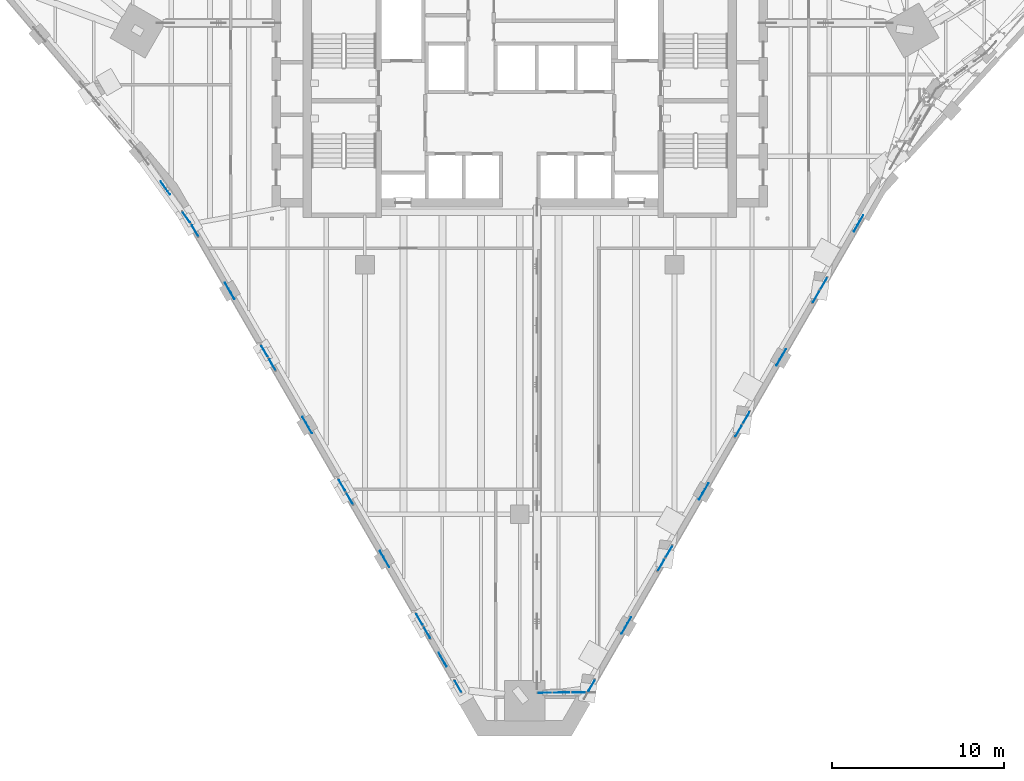
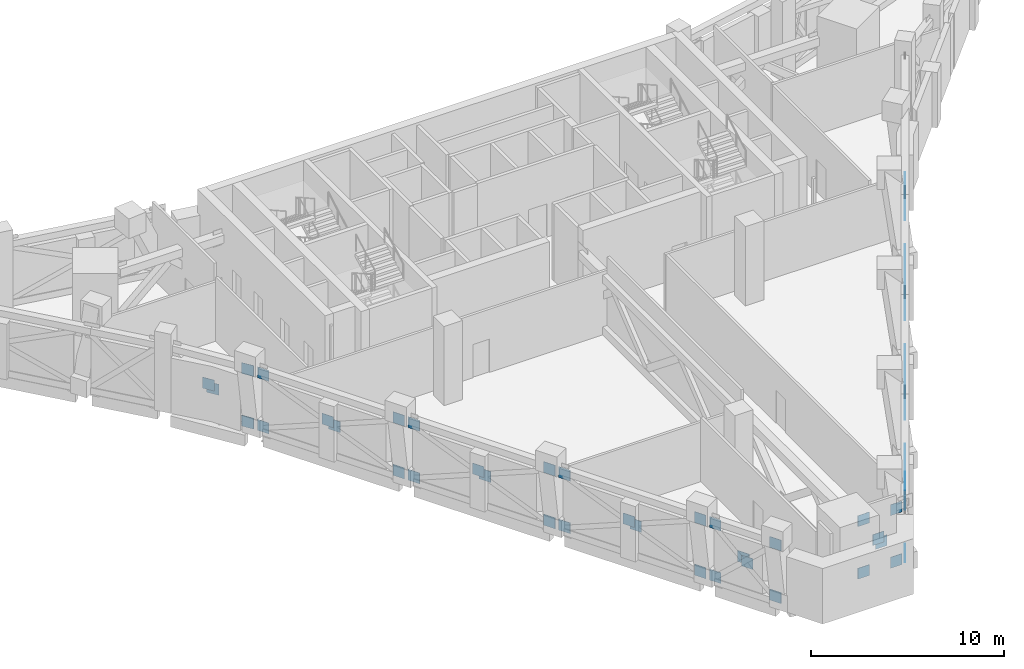
# One storey, part 17 of 23: 56 discrete accessories.
"""IFC4 building model written with IfcOpenShell, lengths in metres."""

from ifc_helpers import new_model, si_unit, direction, frame, origin, origin_2d, place, context, subcontext, project, spatial, rectangle, extrude, material, type_object, element, save


model = new_model("IFC4")

# Units and contexts
model_context = context("Model", 3, precision=1e-05, world=origin(), true_north=direction((0.0, 1.0)))
body_context = subcontext(model_context, "Body", "Model", "MODEL_VIEW")
ifc_project = project(units=[si_unit("LENGTHUNIT", "METRE"), si_unit("AREAUNIT", "SQUARE_METRE"), si_unit("VOLUMEUNIT", "CUBIC_METRE"), si_unit("PLANEANGLEUNIT", "RADIAN"), si_unit("MASSUNIT", "GRAM", prefix="KILO")], contexts=[model_context])

# Site, building, storey
site_placement = place(None, origin())
site = spatial("IfcSite", under=ifc_project, at=site_placement, CompositionType="ELEMENT")
building_placement = place(site_placement, origin())
building = spatial("IfcBuilding", under=site, at=building_placement, Name="Calabash Gate Tower", CompositionType="ELEMENT")
storey_placement = place(building_placement, frame((0.0, 0.0, 243.199951171875)))
storey = spatial("IfcBuildingStorey", under=building, at=storey_placement, Name="L58", CompositionType="ELEMENT", Elevation=243.199951171875)

# Discrete accessories
ifc_material = material(Name="Steel ASTM A572 Gr50", Category="steel")
discrete_accessory_type = type_object("IfcDiscreteAccessoryType", Name="Connection plate 25", PredefinedType="BRACKET", material=ifc_material)
for number, where, z_axis, x_axis, name in (
    (1, (-18.882080078125, 4.48779296875, 0.0625), (0.0, 0.0, 1.0), (0.499999984885, -0.866025412511, 0.0), "Connection plate Belt diagonal L58 3 start"),
    (2, (-14.83203125, -2.52685546875, 3.3798828125), (0.0, 0.0, 1.0), (0.499999984885, -0.866025412511, 0.0), "Connection plate Belt diagonal L58 3 end"),
    (3, (-18.882080078125, 4.48779296875, 3.3798828125), (0.0, 0.0, 1.0), (0.499999954655, -0.866025429964, 0.0), "Connection plate Belt diagonal (split) L58 4 half 1 of 2 start"),
    (4, (-16.95751953125, 1.154541015625, 1.8037109375), (0.0, 0.0, 1.0), (0.499999954655, -0.866025429964, 0.0), "Connection plate Belt diagonal (split) L58 4 half 1 of 2 end"),
    (5, (-16.75634765625, 0.806396484375, 1.638671875), (0.0, 0.0, 1.0), (0.499999954655, -0.866025429964, 0.0), "Connection plate Belt diagonal (split) L58 5 half 2 of 2 start"),
    (6, (-14.83203125, -2.52685546875, 0.0625), (0.0, 0.0, 1.0), (0.499999954655, -0.866025429964, 0.0), "Connection plate Belt diagonal (split) L58 5 half 2 of 2 end"),
    (7, (-14.382080078125, -3.306396484375, 0.0625), (0.0, 0.0, 1.0), (0.49999993954, -0.866025438691, 0.0), "Connection plate Belt diagonal L58 8 start"),
    (8, (-10.33203125, -10.3212890625, 3.3798828125), (0.0, 0.0, 1.0), (0.49999993954, -0.866025438691, 0.0), "Connection plate Belt diagonal L58 8 end"),
    (9, (-14.382080078125, -3.306396484375, 3.3798828125), (0.0, 0.0, 1.0), (0.49999984885, -0.866025491051, 0.0), "Connection plate Belt diagonal (split) L58 9 half 1 of 2 start"),
    (10, (-12.45751953125, -6.6396484375, 1.8037109375), (0.0, 0.0, 1.0), (0.49999984885, -0.866025491051, 0.0), "Connection plate Belt diagonal (split) L58 9 half 1 of 2 end"),
    (11, (-12.25634765625, -6.988037109375, 1.638671875), (0.0, 0.0, 1.0), (0.49999984885, -0.866025491051, 0.0), "Connection plate Belt diagonal (split) L58 10 half 2 of 2 start"),
    (12, (-10.33203125, -10.3212890625, 0.0625), (0.0, 0.0, 1.0), (0.49999984885, -0.866025491051, 0.0), "Connection plate Belt diagonal (split) L58 10 half 2 of 2 end"),
    (13, (-9.882080078125, -11.1005859375, 0.0625), (0.0, 0.0, 1.0), (0.499999984885, -0.866025412511, 0.0), "Connection plate Belt diagonal L58 13 start"),
    (14, (-5.83203125, -18.115478515625, 3.3798828125), (0.0, 0.0, 1.0), (0.499999984885, -0.866025412511, 0.0), "Connection plate Belt diagonal L58 13 end"),
    (15, (-9.882080078125, -11.1005859375, 3.3798828125), (0.0, 0.0, 1.0), (0.499999954655, -0.866025429964, 0.0), "Connection plate Belt diagonal (split) L58 14 half 1 of 2 start"),
    (16, (-7.95751953125, -14.433837890625, 1.8037109375), (0.0, 0.0, 1.0), (0.499999954655, -0.866025429964, 0.0), "Connection plate Belt diagonal (split) L58 14 half 1 of 2 end"),
    (17, (-7.75634765625, -14.7822265625, 1.638671875), (0.0, 0.0, 1.0), (0.499999954655, -0.866025429964, 0.0), "Connection plate Belt diagonal (split) L58 15 half 2 of 2 start"),
    (18, (-5.83203125, -18.115478515625, 0.0625), (0.0, 0.0, 1.0), (0.499999954655, -0.866025429964, 0.0), "Connection plate Belt diagonal (split) L58 15 half 2 of 2 end"),
    (19, (-5.382080078125, -18.894775390625, 0.0625), (0.0, 0.0, 1.0), (0.49999981862, -0.866025508504, 0.0), "Connection plate Belt diagonal L58 18 start"),
    (20, (-3.58203125, -22.012451171875, 3.3798828125), (0.0, 0.0, 1.0), (0.49999981862, -0.866025508504, 0.0), "Connection plate Belt diagonal L58 18 end"),
    (21, (-5.382080078125, -18.894775390625, 3.3798828125), (0.0, 0.0, 1.0), (0.49999978839, -0.866025525957, 0.0), "Connection plate Belt diagonal (split) L58 19 half 1 of 2 start"),
    (22, (-4.5380859375, -20.356201171875, 1.82470703125), (0.0, 0.0, 1.0), (0.49999978839, -0.866025525957, 0.0), "Connection plate Belt diagonal (split) L58 19 half 1 of 2 end"),
    (23, (-4.42578125, -20.551025390625, 1.61767578125), (0.0, 0.0, 1.0), (0.49999978839, -0.866025525957, 0.0), "Connection plate Belt diagonal (split) L58 20 half 2 of 2 start"),
    (24, (-3.58203125, -22.012451171875, 0.0625), (0.0, 0.0, 1.0), (0.49999978839, -0.866025525957, 0.0), "Connection plate Belt diagonal (split) L58 20 half 2 of 2 end"),
    (25, (1.458740234375, -22.37744140625, 0.0625), (0.0, 0.0, 1.0), (0.999986832297, 0.005131786528, 0.0), "Connection plate Belt diagonal L58 23 start"),
    (26, (3.4248046875, -22.367431640625, 3.3798828125), (0.0, 0.0, 1.0), (0.999986832297, 0.005131786528, 0.0), "Connection plate Belt diagonal L58 23 end"),
    (27, (1.458740234375, -22.37744140625, 3.3798828125), (0.0, 0.0, 1.0), (0.999986829072, 0.005132414838, 0.0), "Connection plate Belt diagonal (split) L58 24 half 1 of 2 start"),
    (28, (2.353271484375, -22.373046875, 1.87060546875), (0.0, 0.0, 1.0), (0.999986829072, 0.005132414838, 0.0), "Connection plate Belt diagonal (split) L58 24 half 1 of 2 end"),
    (29, (2.5302734375, -22.3720703125, 1.57177734375), (0.0, 0.0, 1.0), (0.999986834805, 0.005131297842, 0.0), "Connection plate Belt diagonal (split) L58 25 half 2 of 2 start"),
    (30, (3.4248046875, -22.367431640625, 0.0625), (0.0, 0.0, 1.0), (0.999986834805, 0.005131297842, 0.0), "Connection plate Belt diagonal (split) L58 25 half 2 of 2 end"),
    (31, (4.1708984375, -21.97509765625, 0.0625), (0.0, 0.0, 1.0), (0.499999984885, 0.866025412511, 0.0), "Connection plate Belt diagonal L58 28 start"),
    (32, (8.220947265625, -14.960205078125, 3.3798828125), (0.0, 0.0, 1.0), (0.499999984885, 0.866025412511, 0.0), "Connection plate Belt diagonal L58 28 end"),
    (33, (4.1708984375, -21.97509765625, 3.3798828125), (0.0, 0.0, 1.0), (0.499999954655, 0.866025429964, 0.0), "Connection plate Belt diagonal (split) L58 29 half 1 of 2 start"),
    (34, (6.095458984375, -18.641845703125, 1.8037109375), (0.0, 0.0, 1.0), (0.499999954655, 0.866025429964, 0.0), "Connection plate Belt diagonal (split) L58 29 half 1 of 2 end"),
    (35, (6.296630859375, -18.29345703125, 1.638671875), (0.0, 0.0, 1.0), (0.499999954655, 0.866025429964, 0.0), "Connection plate Belt diagonal (split) L58 30 half 2 of 2 start"),
    (36, (8.220947265625, -14.960205078125, 0.0625), (0.0, 0.0, 1.0), (0.499999954655, 0.866025429964, 0.0), "Connection plate Belt diagonal (split) L58 30 half 2 of 2 end"),
    (37, (8.6708984375, -14.180908203125, 0.0625), (0.0, 0.0, 1.0), (0.49999993954, 0.866025438691, 0.0), "Connection plate Belt diagonal L58 33 start"),
    (38, (12.720947265625, -7.166015625, 3.3798828125), (0.0, 0.0, 1.0), (0.49999993954, 0.866025438691, 0.0), "Connection plate Belt diagonal L58 33 end"),
    (39, (8.6708984375, -14.180908203125, 3.3798828125), (0.0, 0.0, 1.0), (0.49999984885, 0.866025491051, 0.0), "Connection plate Belt diagonal (split) L58 34 half 1 of 2 start"),
    (40, (10.595458984375, -10.84765625, 1.8037109375), (0.0, 0.0, 1.0), (0.49999984885, 0.866025491051, 0.0), "Connection plate Belt diagonal (split) L58 34 half 1 of 2 end"),
    (41, (10.796630859375, -10.499267578125, 1.638671875), (0.0, 0.0, 1.0), (0.49999984885, 0.866025491051, 0.0), "Connection plate Belt diagonal (split) L58 35 half 2 of 2 start"),
    (42, (12.720947265625, -7.166015625, 0.0625), (0.0, 0.0, 1.0), (0.49999984885, 0.866025491051, 0.0), "Connection plate Belt diagonal (split) L58 35 half 2 of 2 end"),
    (43, (13.1708984375, -6.38671875, 0.0625), (0.0, 0.0, 1.0), (0.49999993954, 0.866025438691, 0.0), "Connection plate Belt diagonal L58 38 start"),
    (44, (17.220947265625, 0.628173828125, 3.3798828125), (0.0, 0.0, 1.0), (0.49999993954, 0.866025438691, 0.0), "Connection plate Belt diagonal L58 38 end"),
    (45, (13.1708984375, -6.38671875, 3.3798828125), (0.0, 0.0, 1.0), (0.49999984885, 0.866025491051, 0.0), "Connection plate Belt diagonal (split) L58 39 half 1 of 2 start"),
    (46, (15.095458984375, -3.05322265625, 1.8037109375), (0.0, 0.0, 1.0), (0.49999984885, 0.866025491051, 0.0), "Connection plate Belt diagonal (split) L58 39 half 1 of 2 end"),
    (47, (15.296630859375, -2.705078125, 1.638671875), (0.0, 0.0, 1.0), (0.49999984885, 0.866025491051, 0.0), "Connection plate Belt diagonal (split) L58 40 half 2 of 2 start"),
    (48, (17.220947265625, 0.628173828125, 0.0625), (0.0, 0.0, 1.0), (0.49999984885, 0.866025491051, 0.0), "Connection plate Belt diagonal (split) L58 40 half 2 of 2 end"),
    (49, (17.6708984375, 1.40771484375, 0.0625), (0.0, 0.0, 1.0), (0.500000045345, 0.866025377604, 0.0), "Connection plate Belt diagonal L58 43 start"),
    (50, (17.6708984375, 1.40771484375, 3.3798828125), (0.0, 0.0, 1.0), (0.49999987908, 0.866025473598, 0.0), "Connection plate Belt diagonal (split) L58 44 half 1 of 2 start"),
    (51, (19.5927734375, 4.736328125, 1.8037109375), (0.0, 0.0, 1.0), (0.49999987908, 0.866025473598, 0.0), "Connection plate Belt diagonal (split) L58 44 half 1 of 2 end"),
    (52, (19.793701171875, 5.084228515625, 1.638671875), (0.0, 0.0, 1.0), (0.50000018138, 0.866025299065, 0.0), "Connection plate Belt diagonal (split) L58 45 half 2 of 2 start"),
    (53, (-19.3701171875, 5.2451171875, 3.3798828125), (0.0, 0.0, 1.0), (0.581967735271, -0.813211875899, 0.0), "Connection plate Belt diagonal L58 108 end"),
    (54, (-20.6669921875, 7.0576171875, 1.818359375), (0.0, 0.0, 1.0), (0.581967706884, -0.813211896214, 0.0), "Connection plate Belt diagonal (split) L58 109 half 1 of 2 end"),
    (55, (-20.523681640625, 6.857421875, 1.6240234375), (0.0, 0.0, 1.0), (0.581967706884, -0.813211896214, 0.0), "Connection plate Belt diagonal (split) L58 110 half 2 of 2 start"),
    (56, (-19.3701171875, 5.2451171875, 0.0625), (0.0, 0.0, 1.0), (0.581967706884, -0.813211896214, 0.0), "Connection plate Belt diagonal (split) L58 110 half 2 of 2 end"),
):
    element("IfcDiscreteAccessory", number, at=place(storey_placement, frame(where, z_axis=z_axis, x_axis=x_axis)), inside=storey, type_object=discrete_accessory_type, Name=name, PredefinedType="BRACKET", context=body_context, shape_type="SweptSolid", body=[
        extrude(rectangle(XDim=0.687744140625, YDim=0.02490234375, at=origin_2d()), origin(), (0.0, 0.0, 1.0), 0.687744140625),
    ])

save(model, "model.ifc")
